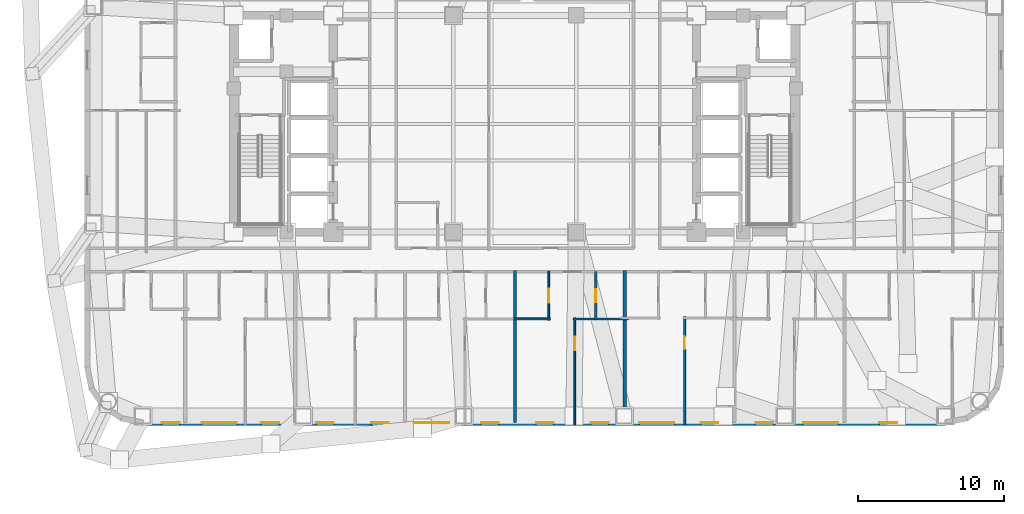
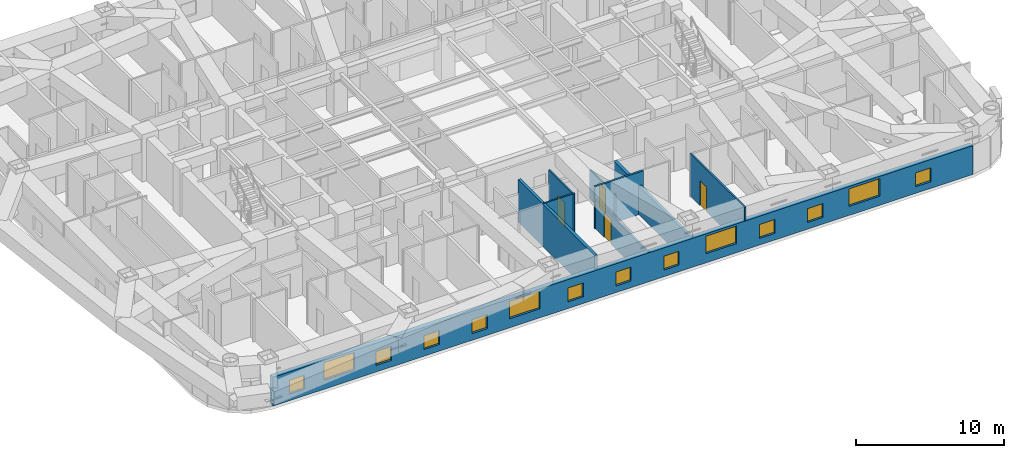
# One storey, part 6 of 14: 14 windows, 9 walls, 4 doors, 18 openings.
"""IFC4 building model written with IfcOpenShell, lengths in metres."""

from ifc_helpers import new_model, si_unit, direction, frame, frame_2d, origin, place, context, subcontext, project, spatial, rectangle, extrude, material, layer, layer_set, type_object, element, fill, save


model = new_model("IFC4")

# Units and contexts
model_context = context("Model", 3, precision=1e-05, world=origin(), true_north=direction((0.0, 1.0)))
body_context = subcontext(model_context, "Body", "Model", "MODEL_VIEW")
ifc_project = project(units=[si_unit("LENGTHUNIT", "METRE"), si_unit("AREAUNIT", "SQUARE_METRE"), si_unit("VOLUMEUNIT", "CUBIC_METRE"), si_unit("PLANEANGLEUNIT", "RADIAN"), si_unit("MASSUNIT", "GRAM", prefix="KILO")], contexts=[model_context])

# Site, building, storey
site_placement = place(None, origin())
site = spatial("IfcSite", under=ifc_project, at=site_placement, CompositionType="ELEMENT")
building_placement = place(site_placement, origin())
building = spatial("IfcBuilding", under=site, at=building_placement, Name="Voryun Gate Residences", CompositionType="ELEMENT")
storey_placement = place(building_placement, frame((0.0, 0.0, 136.5)))
storey = spatial("IfcBuildingStorey", under=building, at=storey_placement, Name="L33", CompositionType="ELEMENT", Elevation=136.5)

# Wall, openings, windows
ifc_material_1 = material(Name="Granite masonry", Category="masonry")
ifc_layer_1 = layer(ifc_material_1, 0.3798828125, Name="W_EXT_GRANITE_380")
ifc_layer_set_1 = layer_set([ifc_layer_1], Name="Granite masonry")
wall_type_1 = type_object("IfcWallType", Name="W_EXT_GRANITE_380", PredefinedType="ELEMENTEDWALL", material=ifc_layer_set_1)
wall_1_placement = place(storey_placement, frame((29.38134765625, -20.409912109375, 0.0), z_axis=(0.0, 0.0, 1.0), x_axis=(-1.0, 0.0, 0.0)))
wall_1 = element("IfcWall", 1, at=wall_1_placement, inside=storey, type_object=wall_type_1, Name="Exterior wall WEXT-L33-01", PredefinedType="ELEMENTEDWALL", context=body_context, shape_type="SweptSolid", body=[
    extrude(rectangle(XDim=54.7626953125, YDim=0.3798828125, at=frame_2d((27.38134765625, 0.0))), origin(), (0.0, 0.0, 1.0), 2.389892578125),
])
opening_1_placement = place(wall_1_placement, frame((7.29541015625, 0.0, 0.75)))
opening_1 = element("IfcOpeningElement", 2, at=opening_1_placement, cuts=wall_1, Name="Opening WN2", PredefinedType="OPENING", context=body_context, shape_type="SweptSolid", body=[
    extrude(rectangle(XDim=2.39990234375, YDim=1.449951171875, at=frame_2d((1.199951171875, 0.72509765625))), frame((0.0, 0.199951171875, 0.0), z_axis=(0.0, -1.0, 0.0), x_axis=(1.0, 0.0, 0.0)), (0.0, 0.0, 1.0), 0.39990234375),
])
opening_2_placement = place(wall_1_placement, frame((18.486083984375, 0.0, 0.75)))
opening_2 = element("IfcOpeningElement", 3, at=opening_2_placement, cuts=wall_1, Name="Opening WN2", PredefinedType="OPENING", context=body_context, shape_type="SweptSolid", body=[
    extrude(rectangle(XDim=2.39990234375, YDim=1.449951171875, at=frame_2d((1.199951171875, 0.72509765625))), frame((0.0, 0.199951171875, 0.0), z_axis=(0.0, -1.0, 0.0), x_axis=(1.0, 0.0, 0.0)), (0.0, 0.0, 1.0), 0.39990234375),
])
opening_3_placement = place(wall_1_placement, frame((33.876708984375, 0.0, 0.75)))
opening_3 = element("IfcOpeningElement", 4, at=opening_3_placement, cuts=wall_1, Name="Opening WN2", PredefinedType="OPENING", context=body_context, shape_type="SweptSolid", body=[
    extrude(rectangle(XDim=2.39990234375, YDim=1.449951171875, at=frame_2d((1.199951171875, 0.72509765625))), frame((0.0, 0.199951171875, 0.0), z_axis=(0.0, -1.0, 0.0), x_axis=(1.0, 0.0, 0.0)), (0.0, 0.0, 1.0), 0.39990234375),
])
opening_4_placement = place(wall_1_placement, frame((48.3671875, 0.0, 0.75)))
opening_4 = element("IfcOpeningElement", 5, at=opening_4_placement, cuts=wall_1, Name="Opening WN2", PredefinedType="OPENING", context=body_context, shape_type="SweptSolid", body=[
    extrude(rectangle(XDim=2.39990234375, YDim=1.449951171875, at=frame_2d((1.199951171875, 0.72509765625))), frame((0.0, 0.199951171875, 0.0), z_axis=(0.0, -1.0, 0.0), x_axis=(1.0, 0.0, 0.0)), (0.0, 0.0, 1.0), 0.39990234375),
])
opening_5_placement = place(wall_1_placement, frame((52.27685546875, 0.0, 0.550048828125)))
opening_5 = element("IfcOpeningElement", 6, at=opening_5_placement, cuts=wall_1, Name="Opening WN6", PredefinedType="OPENING", context=body_context, shape_type="SweptSolid", body=[
    extrude(rectangle(XDim=1.199951171875, YDim=1.14990234375, at=frame_2d((0.60009765625, 0.574951171875))), frame((0.0, 0.199951171875, 0.0), z_axis=(0.0, -1.0, 0.0), x_axis=(1.0, 0.0, 0.0)), (0.0, 0.0, 1.0), 0.39990234375),
])
opening_6_placement = place(wall_1_placement, frame((45.486328125, 0.0, 0.550048828125)))
opening_6 = element("IfcOpeningElement", 7, at=opening_6_placement, cuts=wall_1, Name="Opening WN6", PredefinedType="OPENING", context=body_context, shape_type="SweptSolid", body=[
    extrude(rectangle(XDim=1.199951171875, YDim=1.14990234375, at=frame_2d((0.60009765625, 0.574951171875))), frame((0.0, 0.199951171875, 0.0), z_axis=(0.0, -1.0, 0.0), x_axis=(1.0, 0.0, 0.0)), (0.0, 0.0, 1.0), 0.39990234375),
])
opening_7_placement = place(wall_1_placement, frame((41.736328125, 0.0, 0.550048828125)))
opening_7 = element("IfcOpeningElement", 8, at=opening_7_placement, cuts=wall_1, Name="Opening WN6", PredefinedType="OPENING", context=body_context, shape_type="SweptSolid", body=[
    extrude(rectangle(XDim=1.199951171875, YDim=1.14990234375, at=frame_2d((0.60009765625, 0.574951171875))), frame((0.0, 0.199951171875, 0.0), z_axis=(0.0, -1.0, 0.0), x_axis=(1.0, 0.0, 0.0)), (0.0, 0.0, 1.0), 0.39990234375),
])
opening_8_placement = place(wall_1_placement, frame((37.986328125, 0.0, 0.550048828125)))
opening_8 = element("IfcOpeningElement", 9, at=opening_8_placement, cuts=wall_1, Name="Opening WN6", PredefinedType="OPENING", context=body_context, shape_type="SweptSolid", body=[
    extrude(rectangle(XDim=1.199951171875, YDim=1.14990234375, at=frame_2d((0.60009765625, 0.574951171875))), frame((0.0, 0.199951171875, 0.0), z_axis=(0.0, -1.0, 0.0), x_axis=(1.0, 0.0, 0.0)), (0.0, 0.0, 1.0), 0.39990234375),
])
opening_9_placement = place(wall_1_placement, frame((30.486328125, 0.0, 0.550048828125)))
opening_9 = element("IfcOpeningElement", 10, at=opening_9_placement, cuts=wall_1, Name="Opening WN6", PredefinedType="OPENING", context=body_context, shape_type="SweptSolid", body=[
    extrude(rectangle(XDim=1.199951171875, YDim=1.14990234375, at=frame_2d((0.60009765625, 0.574951171875))), frame((0.0, 0.199951171875, 0.0), z_axis=(0.0, -1.0, 0.0), x_axis=(1.0, 0.0, 0.0)), (0.0, 0.0, 1.0), 0.39990234375),
])
opening_10_placement = place(wall_1_placement, frame((26.736328125, 0.0, 0.550048828125)))
opening_10 = element("IfcOpeningElement", 11, at=opening_10_placement, cuts=wall_1, Name="Opening WN6", PredefinedType="OPENING", context=body_context, shape_type="SweptSolid", body=[
    extrude(rectangle(XDim=1.199951171875, YDim=1.14990234375, at=frame_2d((0.60009765625, 0.574951171875))), frame((0.0, 0.199951171875, 0.0), z_axis=(0.0, -1.0, 0.0), x_axis=(1.0, 0.0, 0.0)), (0.0, 0.0, 1.0), 0.39990234375),
])
opening_11_placement = place(wall_1_placement, frame((22.986328125, 0.0, 0.550048828125)))
opening_11 = element("IfcOpeningElement", 12, at=opening_11_placement, cuts=wall_1, Name="Opening WN6", PredefinedType="OPENING", context=body_context, shape_type="SweptSolid", body=[
    extrude(rectangle(XDim=1.199951171875, YDim=1.14990234375, at=frame_2d((0.60009765625, 0.574951171875))), frame((0.0, 0.199951171875, 0.0), z_axis=(0.0, -1.0, 0.0), x_axis=(1.0, 0.0, 0.0)), (0.0, 0.0, 1.0), 0.39990234375),
])
opening_12_placement = place(wall_1_placement, frame((15.486328125, 0.0, 0.550048828125)))
opening_12 = element("IfcOpeningElement", 13, at=opening_12_placement, cuts=wall_1, Name="Opening WN6", PredefinedType="OPENING", context=body_context, shape_type="SweptSolid", body=[
    extrude(rectangle(XDim=1.199951171875, YDim=1.14990234375, at=frame_2d((0.60009765625, 0.574951171875))), frame((0.0, 0.199951171875, 0.0), z_axis=(0.0, -1.0, 0.0), x_axis=(1.0, 0.0, 0.0)), (0.0, 0.0, 1.0), 0.39990234375),
])
opening_13_placement = place(wall_1_placement, frame((11.736328125, 0.0, 0.550048828125)))
opening_13 = element("IfcOpeningElement", 14, at=opening_13_placement, cuts=wall_1, Name="Opening WN6", PredefinedType="OPENING", context=body_context, shape_type="SweptSolid", body=[
    extrude(rectangle(XDim=1.199951171875, YDim=1.14990234375, at=frame_2d((0.60009765625, 0.574951171875))), frame((0.0, 0.199951171875, 0.0), z_axis=(0.0, -1.0, 0.0), x_axis=(1.0, 0.0, 0.0)), (0.0, 0.0, 1.0), 0.39990234375),
])
opening_14_placement = place(wall_1_placement, frame((3.28564453125, 0.0, 0.550048828125)))
opening_14 = element("IfcOpeningElement", 15, at=opening_14_placement, cuts=wall_1, Name="Opening WN6", PredefinedType="OPENING", context=body_context, shape_type="SweptSolid", body=[
    extrude(rectangle(XDim=1.199951171875, YDim=1.14990234375, at=frame_2d((0.60009765625, 0.574951171875))), frame((0.0, 0.199951171875, 0.0), z_axis=(0.0, -1.0, 0.0), x_axis=(1.0, 0.0, 0.0)), (0.0, 0.0, 1.0), 0.39990234375),
])
ifc_material_2 = material(Name="Laminated low-E glass", Category="glass")
window_type_1 = type_object("IfcWindowType", Name="WN_POD_SLOT_1200", PartitioningType="SINGLE_PANEL", PredefinedType="WINDOW", material=ifc_material_2)
window_1_placement = place(opening_5_placement, origin())
window_1 = element("IfcWindow", 16, at=window_1_placement, inside=storey, type_object=window_type_1, Name="Window WN-L33-DWFIX-15", OverallHeight=1.14990234375, OverallWidth=1.199951171875, PartitioningType="SINGLE_PANEL", PredefinedType="WINDOW", context=body_context, shape_type="SweptSolid", body=[
    extrude(rectangle(XDim=1.199951171875, YDim=1.14990234375, at=frame_2d((0.60009765625, 0.574951171875))), frame((0.0, 0.030029296875, 0.0), z_axis=(0.0, -1.0, 0.0), x_axis=(1.0, 0.0, 0.0)), (0.0, 0.0, 1.0), 0.06005859375),
])
fill(opening_5, window_1)
window_2_placement = place(opening_6_placement, origin())
window_2 = element("IfcWindow", 17, at=window_2_placement, inside=storey, type_object=window_type_1, Name="Window WN-L33-DWFIX-16", OverallHeight=1.14990234375, OverallWidth=1.199951171875, PartitioningType="SINGLE_PANEL", PredefinedType="WINDOW", context=body_context, shape_type="SweptSolid", body=[
    extrude(rectangle(XDim=1.199951171875, YDim=1.14990234375, at=frame_2d((0.60009765625, 0.574951171875))), frame((0.0, 0.030029296875, 0.0), z_axis=(0.0, -1.0, 0.0), x_axis=(1.0, 0.0, 0.0)), (0.0, 0.0, 1.0), 0.06005859375),
])
fill(opening_6, window_2)
window_3_placement = place(opening_7_placement, origin())
window_3 = element("IfcWindow", 18, at=window_3_placement, inside=storey, type_object=window_type_1, Name="Window WN-L33-DWFIX-17", OverallHeight=1.14990234375, OverallWidth=1.199951171875, PartitioningType="SINGLE_PANEL", PredefinedType="WINDOW", context=body_context, shape_type="SweptSolid", body=[
    extrude(rectangle(XDim=1.199951171875, YDim=1.14990234375, at=frame_2d((0.60009765625, 0.574951171875))), frame((0.0, 0.030029296875, 0.0), z_axis=(0.0, -1.0, 0.0), x_axis=(1.0, 0.0, 0.0)), (0.0, 0.0, 1.0), 0.06005859375),
])
fill(opening_7, window_3)
window_4_placement = place(opening_8_placement, origin())
window_4 = element("IfcWindow", 19, at=window_4_placement, inside=storey, type_object=window_type_1, Name="Window WN-L33-DWFIX-18", OverallHeight=1.14990234375, OverallWidth=1.199951171875, PartitioningType="SINGLE_PANEL", PredefinedType="WINDOW", context=body_context, shape_type="SweptSolid", body=[
    extrude(rectangle(XDim=1.199951171875, YDim=1.14990234375, at=frame_2d((0.60009765625, 0.574951171875))), frame((0.0, 0.030029296875, 0.0), z_axis=(0.0, -1.0, 0.0), x_axis=(1.0, 0.0, 0.0)), (0.0, 0.0, 1.0), 0.06005859375),
])
fill(opening_8, window_4)
window_5_placement = place(opening_9_placement, origin())
window_5 = element("IfcWindow", 20, at=window_5_placement, inside=storey, type_object=window_type_1, Name="Window WN-L33-DWFIX-19", OverallHeight=1.14990234375, OverallWidth=1.199951171875, PartitioningType="SINGLE_PANEL", PredefinedType="WINDOW", context=body_context, shape_type="SweptSolid", body=[
    extrude(rectangle(XDim=1.199951171875, YDim=1.14990234375, at=frame_2d((0.60009765625, 0.574951171875))), frame((0.0, 0.030029296875, 0.0), z_axis=(0.0, -1.0, 0.0), x_axis=(1.0, 0.0, 0.0)), (0.0, 0.0, 1.0), 0.06005859375),
])
fill(opening_9, window_5)
window_6_placement = place(opening_10_placement, origin())
window_6 = element("IfcWindow", 21, at=window_6_placement, inside=storey, type_object=window_type_1, Name="Window WN-L33-DWFIX-20", OverallHeight=1.14990234375, OverallWidth=1.199951171875, PartitioningType="SINGLE_PANEL", PredefinedType="WINDOW", context=body_context, shape_type="SweptSolid", body=[
    extrude(rectangle(XDim=1.199951171875, YDim=1.14990234375, at=frame_2d((0.60009765625, 0.574951171875))), frame((0.0, 0.030029296875, 0.0), z_axis=(0.0, -1.0, 0.0), x_axis=(1.0, 0.0, 0.0)), (0.0, 0.0, 1.0), 0.06005859375),
])
fill(opening_10, window_6)
window_7_placement = place(opening_11_placement, origin())
window_7 = element("IfcWindow", 22, at=window_7_placement, inside=storey, type_object=window_type_1, Name="Window WN-L33-DWFIX-21", OverallHeight=1.14990234375, OverallWidth=1.199951171875, PartitioningType="SINGLE_PANEL", PredefinedType="WINDOW", context=body_context, shape_type="SweptSolid", body=[
    extrude(rectangle(XDim=1.199951171875, YDim=1.14990234375, at=frame_2d((0.60009765625, 0.574951171875))), frame((0.0, 0.030029296875, 0.0), z_axis=(0.0, -1.0, 0.0), x_axis=(1.0, 0.0, 0.0)), (0.0, 0.0, 1.0), 0.06005859375),
])
fill(opening_11, window_7)
window_8_placement = place(opening_12_placement, origin())
window_8 = element("IfcWindow", 23, at=window_8_placement, inside=storey, type_object=window_type_1, Name="Window WN-L33-DWFIX-22", OverallHeight=1.14990234375, OverallWidth=1.199951171875, PartitioningType="SINGLE_PANEL", PredefinedType="WINDOW", context=body_context, shape_type="SweptSolid", body=[
    extrude(rectangle(XDim=1.199951171875, YDim=1.14990234375, at=frame_2d((0.60009765625, 0.574951171875))), frame((0.0, 0.030029296875, 0.0), z_axis=(0.0, -1.0, 0.0), x_axis=(1.0, 0.0, 0.0)), (0.0, 0.0, 1.0), 0.06005859375),
])
fill(opening_12, window_8)
window_9_placement = place(opening_13_placement, origin())
window_9 = element("IfcWindow", 24, at=window_9_placement, inside=storey, type_object=window_type_1, Name="Window WN-L33-DWFIX-23", OverallHeight=1.14990234375, OverallWidth=1.199951171875, PartitioningType="SINGLE_PANEL", PredefinedType="WINDOW", context=body_context, shape_type="SweptSolid", body=[
    extrude(rectangle(XDim=1.199951171875, YDim=1.14990234375, at=frame_2d((0.60009765625, 0.574951171875))), frame((0.0, 0.030029296875, 0.0), z_axis=(0.0, -1.0, 0.0), x_axis=(1.0, 0.0, 0.0)), (0.0, 0.0, 1.0), 0.06005859375),
])
fill(opening_13, window_9)
window_10_placement = place(opening_14_placement, origin())
window_10 = element("IfcWindow", 25, at=window_10_placement, inside=storey, type_object=window_type_1, Name="Window WN-L33-DWFIX-24", OverallHeight=1.14990234375, OverallWidth=1.199951171875, PartitioningType="SINGLE_PANEL", PredefinedType="WINDOW", context=body_context, shape_type="SweptSolid", body=[
    extrude(rectangle(XDim=1.199951171875, YDim=1.14990234375, at=frame_2d((0.60009765625, 0.574951171875))), frame((0.0, 0.030029296875, 0.0), z_axis=(0.0, -1.0, 0.0), x_axis=(1.0, 0.0, 0.0)), (0.0, 0.0, 1.0), 0.06005859375),
])
fill(opening_14, window_10)
ifc_material_3 = material(Name="Laminated low-E glass", Category="glass")
window_type_2 = type_object("IfcWindowType", Name="WN_RES_WIDE_2400", PartitioningType="SINGLE_PANEL", PredefinedType="WINDOW", material=ifc_material_3)
window_11_placement = place(opening_1_placement, origin())
window_11 = element("IfcWindow", 26, at=window_11_placement, inside=storey, type_object=window_type_2, Name="Window WN-WEXT-L33-01-01", OverallHeight=1.449951171875, OverallWidth=2.39990234375, PartitioningType="SINGLE_PANEL", PredefinedType="WINDOW", context=body_context, shape_type="SweptSolid", body=[
    extrude(rectangle(XDim=2.39990234375, YDim=1.449951171875, at=frame_2d((1.199951171875, 0.72509765625))), frame((0.0, 0.030029296875, 0.0), z_axis=(0.0, -1.0, 0.0), x_axis=(1.0, 0.0, 0.0)), (0.0, 0.0, 1.0), 0.06005859375),
])
fill(opening_1, window_11)
window_12_placement = place(opening_2_placement, origin())
window_12 = element("IfcWindow", 27, at=window_12_placement, inside=storey, type_object=window_type_2, Name="Window WN-WEXT-L33-01-02", OverallHeight=1.449951171875, OverallWidth=2.39990234375, PartitioningType="SINGLE_PANEL", PredefinedType="WINDOW", context=body_context, shape_type="SweptSolid", body=[
    extrude(rectangle(XDim=2.39990234375, YDim=1.449951171875, at=frame_2d((1.199951171875, 0.72509765625))), frame((0.0, 0.030029296875, 0.0), z_axis=(0.0, -1.0, 0.0), x_axis=(1.0, 0.0, 0.0)), (0.0, 0.0, 1.0), 0.06005859375),
])
fill(opening_2, window_12)
window_13_placement = place(opening_3_placement, origin())
window_13 = element("IfcWindow", 28, at=window_13_placement, inside=storey, type_object=window_type_2, Name="Window WN-WEXT-L33-01-03", OverallHeight=1.449951171875, OverallWidth=2.39990234375, PartitioningType="SINGLE_PANEL", PredefinedType="WINDOW", context=body_context, shape_type="SweptSolid", body=[
    extrude(rectangle(XDim=2.39990234375, YDim=1.449951171875, at=frame_2d((1.199951171875, 0.72509765625))), frame((0.0, 0.030029296875, 0.0), z_axis=(0.0, -1.0, 0.0), x_axis=(1.0, 0.0, 0.0)), (0.0, 0.0, 1.0), 0.06005859375),
])
fill(opening_3, window_13)
window_14_placement = place(opening_4_placement, origin())
window_14 = element("IfcWindow", 29, at=window_14_placement, inside=storey, type_object=window_type_2, Name="Window WN-WEXT-L33-01-04", OverallHeight=1.449951171875, OverallWidth=2.39990234375, PartitioningType="SINGLE_PANEL", PredefinedType="WINDOW", context=body_context, shape_type="SweptSolid", body=[
    extrude(rectangle(XDim=2.39990234375, YDim=1.449951171875, at=frame_2d((1.199951171875, 0.72509765625))), frame((0.0, 0.030029296875, 0.0), z_axis=(0.0, -1.0, 0.0), x_axis=(1.0, 0.0, 0.0)), (0.0, 0.0, 1.0), 0.06005859375),
])
fill(opening_4, window_14)

# Walls
ifc_material_4 = material(Name="Concrete C40/50", Category="concrete")
ifc_layer_2 = layer(ifc_material_4, 0.219970703125, Name="W_PARTY_ACOUSTIC_220")
ifc_layer_set_2 = layer_set([ifc_layer_2], Name="Concrete C40/50")
wall_type_2 = type_object("IfcWallType", Name="W_PARTY_ACOUSTIC_220", PredefinedType="PARTITIONING", material=ifc_layer_set_2)
wall_2_placement = place(storey_placement, frame((0.0, -20.409912109375, 0.0), z_axis=(0.0, 0.0, 1.0), x_axis=(0.0, 1.0, 0.0)))
element("IfcWall", 30, at=wall_2_placement, inside=storey, type_object=wall_type_2, Name="Partition wall WP-L33-SPTY-4", PredefinedType="PARTITIONING", context=body_context, shape_type="SweptSolid", body=[
    extrude(rectangle(XDim=10.389892578125, YDim=0.219970703125, at=frame_2d((5.19482421875, 0.0))), origin(), (0.0, 0.0, 1.0), 3.5),
])
wall_3_placement = place(storey_placement, frame((7.5, -20.409912109375, 0.0), z_axis=(0.0, 0.0, 1.0), x_axis=(0.0, 1.0, 0.0)))
element("IfcWall", 31, at=wall_3_placement, inside=storey, type_object=wall_type_2, Name="Partition wall WP-L33-SPTY-5", PredefinedType="PARTITIONING", context=body_context, shape_type="SweptSolid", body=[
    extrude(rectangle(XDim=10.389892578125, YDim=0.219970703125, at=frame_2d((5.19482421875, 0.0))), origin(), (0.0, 0.0, 1.0), 2.389892578125),
])

# Wall, opening, door
ifc_material_5 = material(Name="Gypsum acoustic partition")
ifc_layer_3 = layer(ifc_material_5, 0.125, Name="W_UNIT_PART_125")
ifc_layer_set_3 = layer_set([ifc_layer_3], Name="Gypsum acoustic partition")
wall_type_3 = type_object("IfcWallType", Name="W_UNIT_PART_125", PredefinedType="PARTITIONING", material=ifc_layer_set_3)
wall_4_placement = place(storey_placement, frame((4.090087890625, -20.56005859375, 0.0), z_axis=(0.0, 0.0, 1.0), x_axis=(0.0, 1.0, 0.0)))
wall_4 = element("IfcWall", 32, at=wall_4_placement, inside=storey, type_object=wall_type_3, Name="Partition wall WP-L33-S5-OVR", PredefinedType="PARTITIONING", context=body_context, shape_type="SweptSolid", body=[
    extrude(rectangle(XDim=7.320068359375, YDim=0.125, at=frame_2d((3.66015625, 0.0))), origin(), (0.0, 0.0, 1.0), 2.389892578125),
])
opening_15_placement = place(wall_4_placement, frame((5.11328125, 0.0, 0.0)))
opening_15 = element("IfcOpeningElement", 33, at=opening_15_placement, cuts=wall_4, Name="Opening D-INT-2", PredefinedType="OPENING", context=body_context, shape_type="SweptSolid", body=[
    extrude(rectangle(XDim=0.89990234375, YDim=2.050048828125, at=frame_2d((0.449951171875, 1.02490234375))), frame((0.0, 0.072509765625, 0.0), z_axis=(0.0, -1.0, 0.0), x_axis=(1.0, 0.0, 0.0)), (0.0, 0.0, 1.0), 0.14501953125),
])
ifc_material_6 = material(Name="Architectural oak veneer")
door_type_1 = type_object("IfcDoorType", Name="DR_INT_BATH_900", OperationType="NOTDEFINED", PredefinedType="DOOR", material=ifc_material_6)
door_1_placement = place(opening_15_placement, origin())
door_1 = element("IfcDoor", 34, at=door_1_placement, inside=storey, type_object=door_type_1, Name="Door DR-L33-S5-DMB", OperationType="SINGLE_SWING_RIGHT", OverallHeight=2.050048828125, OverallWidth=0.89990234375, PredefinedType="DOOR", context=body_context, shape_type="SweptSolid", body=[
    extrude(rectangle(XDim=0.89990234375, YDim=2.050048828125, at=frame_2d((0.449951171875, 1.02490234375))), frame((0.0, 0.02490234375, 0.0), z_axis=(0.0, -1.0, 0.0), x_axis=(1.0, 0.0, 0.0)), (0.0, 0.0, 1.0), 0.050048828125),
])
fill(opening_15, door_1)

wall_5_placement = place(storey_placement, frame((2.31005859375, -13.39990234375, 0.0), z_axis=(0.0, 0.0, 1.0), x_axis=(0.0, 1.0, 0.0)))
wall_5 = element("IfcWall", 35, at=wall_5_placement, inside=storey, type_object=wall_type_3, Name="Partition wall WP-L33-S5-IVK", PredefinedType="PARTITIONING", context=body_context, shape_type="SweptSolid", body=[
    extrude(rectangle(XDim=3.31982421875, YDim=0.125, at=frame_2d((1.659912109375, 0.0))), origin(), (0.0, 0.0, 1.0), 3.5),
])
opening_16_placement = place(wall_5_placement, frame((1.18505859375, 0.0, 0.0)))
opening_16 = element("IfcOpeningElement", 36, at=opening_16_placement, cuts=wall_5, Name="Opening D-INT-1", PredefinedType="OPENING", context=body_context, shape_type="SweptSolid", body=[
    extrude(rectangle(XDim=0.949951171875, YDim=2.050048828125, at=frame_2d((0.47509765625, 1.02490234375))), frame((0.0, 0.072509765625, 0.0), z_axis=(0.0, -1.0, 0.0), x_axis=(1.0, 0.0, 0.0)), (0.0, 0.0, 1.0), 0.14501953125),
])
ifc_material_7 = material(Name="Architectural oak veneer")
door_type_2 = type_object("IfcDoorType", Name="DR_INT_ROOM_950", OperationType="NOTDEFINED", PredefinedType="DOOR", material=ifc_material_7)
door_2_placement = place(opening_16_placement, origin())
door_2 = element("IfcDoor", 37, at=door_2_placement, inside=storey, type_object=door_type_2, Name="Door DR-L33-S5-DK", OperationType="SINGLE_SWING_LEFT", OverallHeight=2.050048828125, OverallWidth=0.949951171875, PredefinedType="DOOR", context=body_context, shape_type="SweptSolid", body=[
    extrude(rectangle(XDim=0.949951171875, YDim=2.050048828125, at=frame_2d((0.47509765625, 1.02490234375))), frame((0.0, 0.02490234375, 0.0), z_axis=(0.0, -1.0, 0.0), x_axis=(1.0, 0.0, 0.0)), (0.0, 0.0, 1.0), 0.050048828125),
])
fill(opening_16, door_2)

# Wall
wall_6_placement = place(storey_placement, frame((-0.074951171875, -13.320068359375, 0.0), z_axis=(0.0, 0.0, 1.0), x_axis=(1.0, 0.0, 0.0)))
element("IfcWall", 38, at=wall_6_placement, inside=storey, type_object=wall_type_3, Name="Partition wall WP-L33-S5-HZK", PredefinedType="PARTITIONING", context=body_context, shape_type="SweptSolid", body=[
    extrude(rectangle(XDim=2.5048828125, YDim=0.125, at=frame_2d((1.25244140625, 0.0))), origin(), (0.0, 0.0, 1.0), 3.5),
])

# Wall, opening, door
wall_7_placement = place(storey_placement, frame((11.590087890625, -20.56005859375, 0.0), z_axis=(0.0, 0.0, 1.0), x_axis=(0.0, 1.0, 0.0)))
wall_7 = element("IfcWall", 39, at=wall_7_placement, inside=storey, type_object=wall_type_3, Name="Partition wall WP-L33-S6-OVR", PredefinedType="PARTITIONING", context=body_context, shape_type="SweptSolid", body=[
    extrude(rectangle(XDim=7.379150390625, YDim=0.125, at=frame_2d((3.689453125, 0.0))), origin(), (0.0, 0.0, 1.0), 3.5),
])
opening_17_placement = place(wall_7_placement, frame((5.157958984375, 0.0, 0.0)))
opening_17 = element("IfcOpeningElement", 40, at=opening_17_placement, cuts=wall_7, Name="Opening D-INT-2", PredefinedType="OPENING", context=body_context, shape_type="SweptSolid", body=[
    extrude(rectangle(XDim=0.89990234375, YDim=2.050048828125, at=frame_2d((0.449951171875, 1.02490234375))), frame((0.0, 0.072509765625, 0.0), z_axis=(0.0, -1.0, 0.0), x_axis=(1.0, 0.0, 0.0)), (0.0, 0.0, 1.0), 0.14501953125),
])
door_3_placement = place(opening_17_placement, origin())
door_3 = element("IfcDoor", 41, at=door_3_placement, inside=storey, type_object=door_type_1, Name="Door DR-L33-S6-DMB", OperationType="SINGLE_SWING_RIGHT", OverallHeight=2.050048828125, OverallWidth=0.89990234375, PredefinedType="DOOR", context=body_context, shape_type="SweptSolid", body=[
    extrude(rectangle(XDim=0.89990234375, YDim=2.050048828125, at=frame_2d((0.449951171875, 1.02490234375))), frame((0.0, 0.02490234375, 0.0), z_axis=(0.0, -1.0, 0.0), x_axis=(1.0, 0.0, 0.0)), (0.0, 0.0, 1.0), 0.050048828125),
])
fill(opening_17, door_3)

# Wall
ifc_material_8 = material(Name="Gypsum moisture-resistant partition")
ifc_layer_4 = layer(ifc_material_8, 0.14990234375, Name="W_WET_PLUMB_150")
ifc_layer_set_4 = layer_set([ifc_layer_4], Name="Gypsum moisture-resistant partition")
wall_type_4 = type_object("IfcWallType", Name="W_WET_PLUMB_150", PredefinedType="PLUMBINGWALL", material=ifc_layer_set_4)
wall_8_placement = place(storey_placement, frame((3.969970703125, -13.320068359375, 0.0), z_axis=(0.0, 0.0, 1.0), x_axis=(1.0, 0.0, 0.0)))
element("IfcWall", 42, at=wall_8_placement, inside=storey, type_object=wall_type_4, Name="Partition wall WP-L33-S5-HZB", PredefinedType="PLUMBINGWALL", context=body_context, shape_type="SweptSolid", body=[
    extrude(rectangle(XDim=3.7900390625, YDim=0.14990234375, at=frame_2d((1.89501953125, 0.0))), origin(), (0.0, 0.0, 1.0), 3.5),
])

# Wall, opening, door
wall_9_placement = place(storey_placement, frame((5.52001953125, -13.39990234375, 0.0), z_axis=(0.0, 0.0, 1.0), x_axis=(0.0, 1.0, 0.0)))
wall_9 = element("IfcWall", 43, at=wall_9_placement, inside=storey, type_object=wall_type_4, Name="Partition wall WP-L33-S5-IVB", PredefinedType="PLUMBINGWALL", context=body_context, shape_type="SweptSolid", body=[
    extrude(rectangle(XDim=3.31982421875, YDim=0.14990234375, at=frame_2d((1.659912109375, 0.0))), origin(), (0.0, 0.0, 1.0), 2.389892578125),
])
opening_18_placement = place(wall_9_placement, frame((1.2099609375, 0.0, 0.0)))
opening_18 = element("IfcOpeningElement", 44, at=opening_18_placement, cuts=wall_9, Name="Opening D-INT-2", PredefinedType="OPENING", context=body_context, shape_type="SweptSolid", body=[
    extrude(rectangle(XDim=0.89990234375, YDim=2.050048828125, at=frame_2d((0.449951171875, 1.02490234375))), frame((0.0, 0.0849609375, 0.0), z_axis=(0.0, -1.0, 0.0), x_axis=(1.0, 0.0, 0.0)), (0.0, 0.0, 1.0), 0.169921875),
])
door_4_placement = place(opening_18_placement, origin())
door_4 = element("IfcDoor", 45, at=door_4_placement, inside=storey, type_object=door_type_1, Name="Door DR-L33-S5-DB", OperationType="SINGLE_SWING_RIGHT", OverallHeight=2.050048828125, OverallWidth=0.89990234375, PredefinedType="DOOR", context=body_context, shape_type="SweptSolid", body=[
    extrude(rectangle(XDim=0.89990234375, YDim=2.050048828125, at=frame_2d((0.449951171875, 1.02490234375))), frame((0.0, 0.02490234375, 0.0), z_axis=(0.0, -1.0, 0.0), x_axis=(1.0, 0.0, 0.0)), (0.0, 0.0, 1.0), 0.050048828125),
])
fill(opening_18, door_4)

save(model, "model.ifc")
